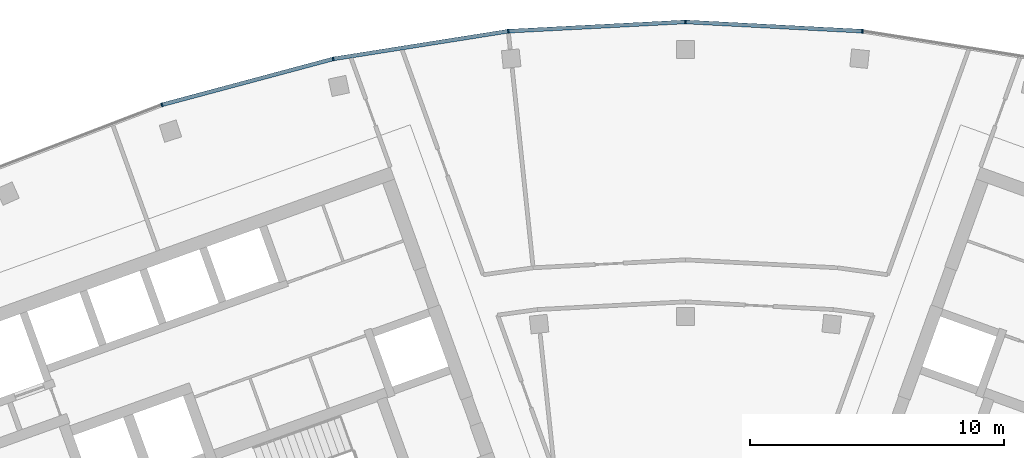
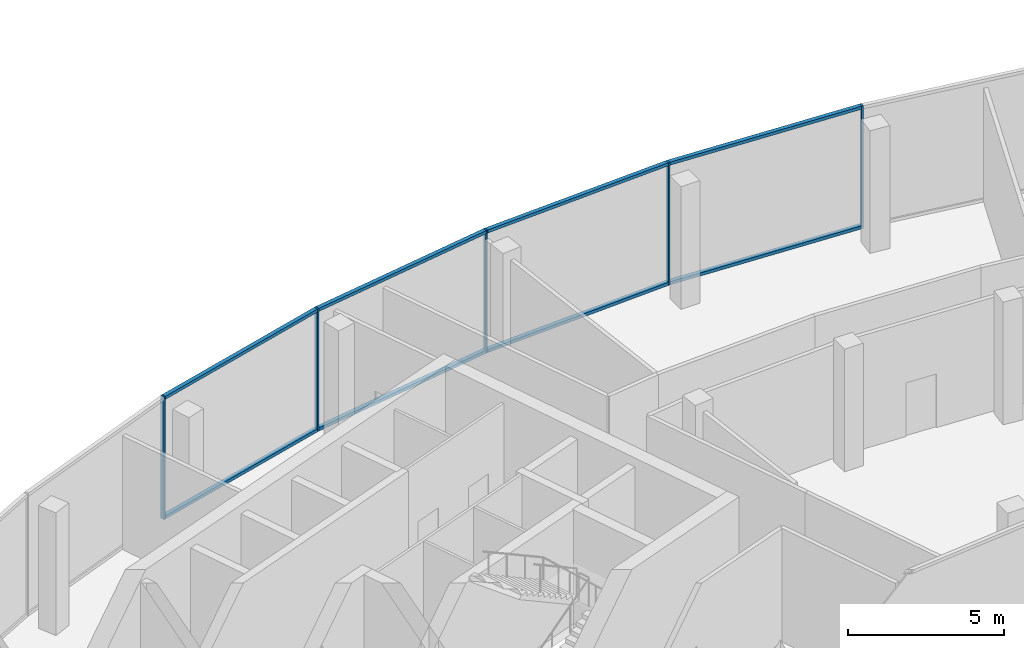
# One storey, part 7 of 17: 13 members, 1 element without a shape of its own.
"""IFC4 building model written with IfcOpenShell, lengths in metres."""

from ifc_helpers import new_model, si_unit, direction, frame, origin, origin_2d, place, context, subcontext, project, spatial, rectangle, extrude, material, layer, layer_set, material_profile, profile_set, type_object, element, aggregate, save


model = new_model("IFC4")

# Units and contexts
model_context = context("Model", 3, precision=1e-05, world=origin(), true_north=direction((0.0, 1.0)))
body_context = subcontext(model_context, "Body", "Model", "MODEL_VIEW")
ifc_project = project(units=[si_unit("LENGTHUNIT", "METRE"), si_unit("AREAUNIT", "SQUARE_METRE"), si_unit("VOLUMEUNIT", "CUBIC_METRE"), si_unit("PLANEANGLEUNIT", "RADIAN"), si_unit("MASSUNIT", "GRAM", prefix="KILO")], contexts=[model_context])

# Site, building, storey
site_placement = place(None, origin())
site = spatial("IfcSite", under=ifc_project, at=site_placement, CompositionType="ELEMENT")
building_placement = place(site_placement, origin())
building = spatial("IfcBuilding", under=site, at=building_placement, Name="Stone Belt Terrace Tower", CompositionType="ELEMENT")
storey_placement = place(building_placement, frame((0.0, 0.0, 313.39990234375)))
storey = spatial("IfcBuildingStorey", under=building, at=storey_placement, Name="L76", CompositionType="ELEMENT", Elevation=313.39990234375)

# Curtain wall, members
ifc_material = material(Name="Aluminium 6063-T6 anodised frame", Category="aluminium")
ifc_layer = layer(ifc_material, 0.14990234375)
ifc_layer_set = layer_set([ifc_layer], Name="CW-C stick curtain wall, horn ends and notches")
curtain_wall_type = type_object("IfcCurtainWallType", Name="CW-C stick curtain wall, horn ends and notches", PredefinedType="NOTDEFINED", material=ifc_layer_set)
curtain_wall_placement = place(storey_placement, origin())
curtain_wall = element("IfcCurtainWall", 1, at=curtain_wall_placement, inside=storey, type_object=curtain_wall_type, Name="CW-C convex face L76", PredefinedType="NOTDEFINED")
ifc_material_profile_1 = material_profile(ifc_material, rectangle(XDim=0.14990234375, YDim=0.06005859375, at=origin_2d()), Name="Aluminium 6063-T6 60x150")
ifc_profile_set_1 = profile_set([ifc_material_profile_1], Name="Aluminium 6063-T6 anodised frame")
member_type_1 = type_object("IfcMemberType", Name="CW-C mullion 60 x 150", PredefinedType="MULLION", material=ifc_profile_set_1)
member_1_placement = place(storey_placement, frame((6.958984375, 66.21044921875, 0.0), z_axis=(0.0, 0.0, 1.0), x_axis=(-0.104528463268, -0.994521895368, 0.0)))
member_1 = element("IfcMember", 2, at=member_1_placement, type_object=member_type_1, Name="CW-C mullion 7", PredefinedType="MULLION", context=body_context, shape_type="SweptSolid", body=[
    extrude(rectangle(XDim=0.14990234375, YDim=0.06005859375, at=origin_2d()), origin(), (0.0, 0.0, 1.0), 4.800048828125),
])
member_2_placement = place(storey_placement, frame((0.0, 66.5751953125, 0.0), z_axis=(0.0, 0.0, 1.0), x_axis=(0.0, -1.0, 0.0)))
member_2 = element("IfcMember", 3, at=member_2_placement, type_object=member_type_1, Name="CW-C mullion 8", PredefinedType="MULLION", context=body_context, shape_type="SweptSolid", body=[
    extrude(rectangle(XDim=0.14990234375, YDim=0.06005859375, at=origin_2d()), origin(), (0.0, 0.0, 1.0), 4.800048828125),
])
member_3_placement = place(storey_placement, frame((-6.958984375, 66.21044921875, 0.0), z_axis=(0.0, 0.0, 1.0), x_axis=(0.104528463268, -0.994521895368, 0.0)))
member_3 = element("IfcMember", 4, at=member_3_placement, type_object=member_type_1, Name="CW-C mullion 9", PredefinedType="MULLION", context=body_context, shape_type="SweptSolid", body=[
    extrude(rectangle(XDim=0.14990234375, YDim=0.06005859375, at=origin_2d()), origin(), (0.0, 0.0, 1.0), 4.800048828125),
])
member_4_placement = place(storey_placement, frame((-13.841796875, 65.120361328125, 0.0), z_axis=(0.0, 0.0, 1.0), x_axis=(0.207911690818, -0.978147600734, 0.0)))
member_4 = element("IfcMember", 5, at=member_4_placement, type_object=member_type_1, Name="CW-C mullion 10", PredefinedType="MULLION", context=body_context, shape_type="SweptSolid", body=[
    extrude(rectangle(XDim=0.14990234375, YDim=0.06005859375, at=origin_2d()), origin(), (0.0, 0.0, 1.0), 4.800048828125),
])
member_5_placement = place(storey_placement, frame((-20.57275390625, 63.316650390625, 0.0), z_axis=(0.0, 0.0, 1.0), x_axis=(0.309016994375, -0.951056516295, 0.0)))
member_5 = element("IfcMember", 6, at=member_5_placement, type_object=member_type_1, Name="CW-C mullion 11", PredefinedType="MULLION", context=body_context, shape_type="SweptSolid", body=[
    extrude(rectangle(XDim=0.14990234375, YDim=0.06005859375, at=origin_2d()), origin(), (0.0, 0.0, 1.0), 4.800048828125),
])
ifc_material_profile_2 = material_profile(ifc_material, rectangle(XDim=0.14990234375, YDim=0.1201171875, at=origin_2d()), Name="Aluminium 6063-T6 150x120")
ifc_profile_set_2 = profile_set([ifc_material_profile_2], Name="Aluminium 6063-T6 anodised frame")
member_type_2 = type_object("IfcMemberType", Name="CW-C transom 120 x 150", PredefinedType="USERDEFINED", material=ifc_profile_set_2)
member_6_placement = place(storey_placement, frame((6.925048828125, 66.212158203125, 0.06005859375), z_axis=(-0.998630019135, 0.052326712899, 0.0), x_axis=(-0.052326712899, -0.998630019135, 0.0)))
member_6 = element("IfcMember", 7, at=member_6_placement, type_object=member_type_2, Name="CW-C transom 7.1", ObjectType="TRANSOM", PredefinedType="USERDEFINED", context=body_context, shape_type="SweptSolid", body=[
    extrude(rectangle(XDim=0.14990234375, YDim=0.1201171875, at=origin_2d()), origin(), (0.0, 0.0, 1.0), 6.900634765625),
])
member_7_placement = place(storey_placement, frame((6.925048828125, 66.212158203125, 4.739990234375), z_axis=(-0.998630019135, 0.052326712899, 0.0), x_axis=(-0.052326712899, -0.998630019135, 0.0)))
member_7 = element("IfcMember", 8, at=member_7_placement, type_object=member_type_2, Name="CW-C transom 7.2", ObjectType="TRANSOM", PredefinedType="USERDEFINED", context=body_context, shape_type="SweptSolid", body=[
    extrude(rectangle(XDim=0.14990234375, YDim=0.1201171875, at=origin_2d()), origin(), (0.0, 0.0, 1.0), 6.900634765625),
])
member_8_placement = place(storey_placement, frame((-0.033935546875, 66.5732421875, 0.06005859375), z_axis=(-0.998630019135, -0.052326712899, 0.0), x_axis=(0.052326712899, -0.998630019135, 0.0)))
member_8 = element("IfcMember", 9, at=member_8_placement, type_object=member_type_2, Name="CW-C transom 8.1", ObjectType="TRANSOM", PredefinedType="USERDEFINED", context=body_context, shape_type="SweptSolid", body=[
    extrude(rectangle(XDim=0.14990234375, YDim=0.1201171875, at=origin_2d()), origin(), (0.0, 0.0, 1.0), 6.900634765625),
])
member_9_placement = place(storey_placement, frame((-0.033935546875, 66.5732421875, 4.739990234375), z_axis=(-0.998630019135, -0.052326712899, 0.0), x_axis=(0.052326712899, -0.998630019135, 0.0)))
member_9 = element("IfcMember", 10, at=member_9_placement, type_object=member_type_2, Name="CW-C transom 8.2", ObjectType="TRANSOM", PredefinedType="USERDEFINED", context=body_context, shape_type="SweptSolid", body=[
    extrude(rectangle(XDim=0.14990234375, YDim=0.1201171875, at=origin_2d()), origin(), (0.0, 0.0, 1.0), 6.900634765625),
])
member_10_placement = place(storey_placement, frame((-6.992431640625, 66.205078125, 0.06005859375), z_axis=(-0.987687120531, -0.156442168027, 0.0), x_axis=(0.156442168027, -0.987687120531, 0.0)))
member_10 = element("IfcMember", 11, at=member_10_placement, type_object=member_type_2, Name="CW-C transom 9.1", ObjectType="TRANSOM", PredefinedType="USERDEFINED", context=body_context, shape_type="SweptSolid", body=[
    extrude(rectangle(XDim=0.14990234375, YDim=0.1201171875, at=origin_2d()), origin(), (0.0, 0.0, 1.0), 6.90087890625),
])
member_11_placement = place(storey_placement, frame((-6.992431640625, 66.205078125, 4.739990234375), z_axis=(-0.987687120531, -0.156442168027, 0.0), x_axis=(0.156442168027, -0.987687120531, 0.0)))
member_11 = element("IfcMember", 12, at=member_11_placement, type_object=member_type_2, Name="CW-C transom 9.2", ObjectType="TRANSOM", PredefinedType="USERDEFINED", context=body_context, shape_type="SweptSolid", body=[
    extrude(rectangle(XDim=0.14990234375, YDim=0.1201171875, at=origin_2d()), origin(), (0.0, 0.0, 1.0), 6.90087890625),
])
member_12_placement = place(storey_placement, frame((-13.87451171875, 65.111572265625, 0.06005859375), z_axis=(-0.965921835863, -0.258833937117, 0.0), x_axis=(0.258833937117, -0.965921835863, 0.0)))
member_12 = element("IfcMember", 13, at=member_12_placement, type_object=member_type_2, Name="CW-C transom 10.1", ObjectType="TRANSOM", PredefinedType="USERDEFINED", context=body_context, shape_type="SweptSolid", body=[
    extrude(rectangle(XDim=0.14990234375, YDim=0.1201171875, at=origin_2d()), origin(), (0.0, 0.0, 1.0), 6.900634765625),
])
member_13_placement = place(storey_placement, frame((-13.87451171875, 65.111572265625, 4.739990234375), z_axis=(-0.965921835863, -0.258833937117, 0.0), x_axis=(0.258833937117, -0.965921835863, 0.0)))
member_13 = element("IfcMember", 14, at=member_13_placement, type_object=member_type_2, Name="CW-C transom 10.2", ObjectType="TRANSOM", PredefinedType="USERDEFINED", context=body_context, shape_type="SweptSolid", body=[
    extrude(rectangle(XDim=0.14990234375, YDim=0.1201171875, at=origin_2d()), origin(), (0.0, 0.0, 1.0), 6.900634765625),
])
aggregate(curtain_wall, [member_1, member_2, member_3, member_4, member_5, member_6, member_7, member_8, member_9, member_10, member_11, member_12, member_13])

save(model, "model.ifc")
